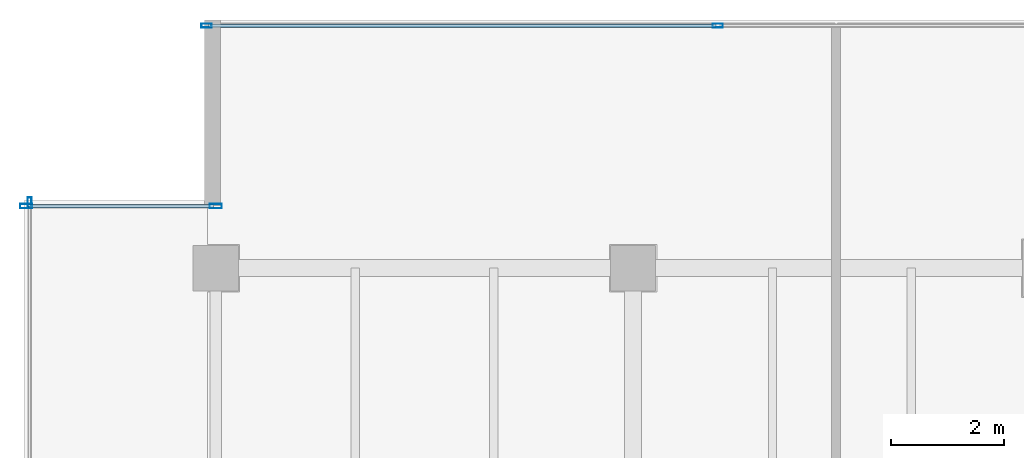
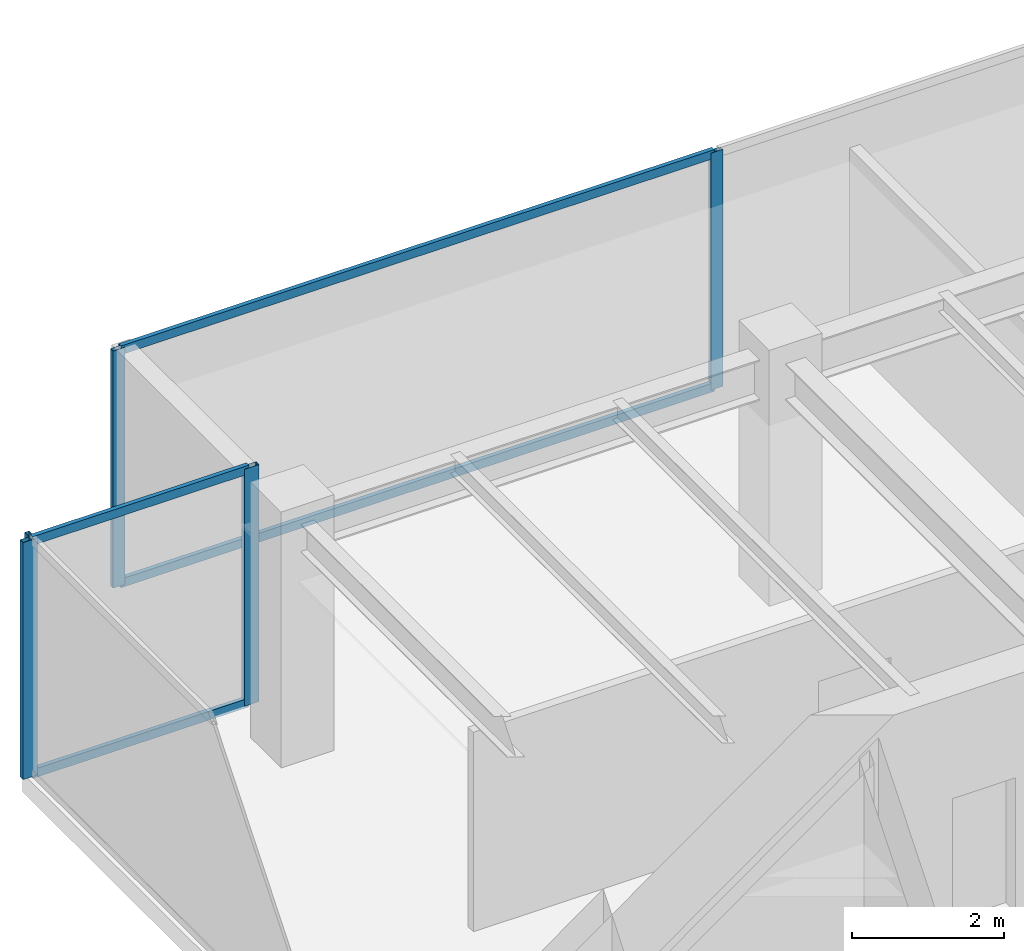
# One storey, part 15 of 35: 9 members, 3 elements without a shape of their own.
"""IFC4 building model written with IfcOpenShell, lengths in metres."""

from ifc_helpers import new_model, si_unit, direction, frame, origin, origin_2d, place, context, subcontext, project, spatial, hollow_rectangle, extrude, source, transform, mapped, material, layer, layer_set, material_profile, profile_set, type_object, type_shapes, element, aggregate, save


model = new_model("IFC4")

# Units and contexts
model_context = context("Model", 3, precision=1e-05, world=origin(), true_north=direction((0.0, 1.0)))
body_context = subcontext(model_context, "Body", "Model", "MODEL_VIEW")
ifc_project = project(units=[si_unit("LENGTHUNIT", "METRE"), si_unit("AREAUNIT", "SQUARE_METRE"), si_unit("VOLUMEUNIT", "CUBIC_METRE"), si_unit("PLANEANGLEUNIT", "RADIAN"), si_unit("MASSUNIT", "GRAM", prefix="KILO")], contexts=[model_context])

# Site, building, storey
site_placement = place(None, origin())
site = spatial("IfcSite", under=ifc_project, at=site_placement, CompositionType="ELEMENT")
building_placement = place(site_placement, origin())
building = spatial("IfcBuilding", under=site, at=building_placement, Name="Haelvirn Gate Laboratories", CompositionType="ELEMENT")
storey_placement = place(building_placement, frame((0.0, 0.0, 221.89990234375)))
storey = spatial("IfcBuildingStorey", under=building, at=storey_placement, Name="L53", CompositionType="ELEMENT", Elevation=221.89990234375)

# Curtain wall, members
ifc_material_1 = material(Name="Anodised bronze unitised aluminium & triple low-E glass", Category="aluminium")
ifc_layer_1 = layer(ifc_material_1, 0.181884765625, Name="CW-SYS-5")
ifc_layer_set_1 = layer_set([ifc_layer_1], Name="Anodised bronze unitised aluminium & triple low-E glass")
curtain_wall_type_1 = type_object("IfcCurtainWallType", Name="CW-SYS-5", PredefinedType="NOTDEFINED", material=ifc_layer_set_1)
curtain_wall_1_placement = place(storey_placement, origin())
curtain_wall_1 = element("IfcCurtainWall", 1, at=curtain_wall_1_placement, inside=storey, type_object=curtain_wall_type_1, Name="L53 Unitised Curtain Wall CW-L53-P0-E16-1", PredefinedType="NOTDEFINED")
ifc_material_2 = material(Name="Extruded aluminium 6063-T6 (anodised bronze)", Category="aluminium")
ifc_material_profile_1 = material_profile(ifc_material_2, hollow_rectangle(XDim=0.06494140625, YDim=0.139892578125, WallThickness=0.00390625, at=origin_2d()), Name="CWT-140x65x4")
ifc_profile_set_1 = profile_set([ifc_material_profile_1], Name="Extruded aluminium 6063-T6 (anodised bronze)")
member_type_1 = type_object("IfcMemberType", Name="CWT-T140", PredefinedType="USERDEFINED", material=ifc_profile_set_1)
shared_shape_1 = source(origin(), body_context, "Body", "SweptSolid", [
    extrude(hollow_rectangle(XDim=0.06494140625, YDim=0.139892578125, WallThickness=0.00390625, at=origin_2d()), origin(), (0.0, 0.0, 1.0), 3.280029296875),
])
member_1_placement = place(storey_placement, frame((4.080078125, 42.699951171875, 0.03271484375), z_axis=(1.0, 0.0, 0.0), x_axis=(0.0, 1.0, 0.0)))
member_1 = element("IfcMember", 2, at=member_1_placement, type_object=member_type_1, Name="CW5 transom 1.1", ObjectType="TRANSOM", PredefinedType="USERDEFINED", context=body_context, shape_type="MappedRepresentation", body=[
    mapped(shared_shape_1, transform((0.0, 0.0, 0.0), scale=1.0)),
])
member_2_placement = place(storey_placement, frame((4.080078125, 42.699951171875, 3.767578125), z_axis=(1.0, 0.0, 0.0), x_axis=(0.0, 1.0, 0.0)))
member_2 = element("IfcMember", 3, at=member_2_placement, type_object=member_type_1, Name="CW5 transom 1.2", ObjectType="TRANSOM", PredefinedType="USERDEFINED", context=body_context, shape_type="MappedRepresentation", body=[
    mapped(shared_shape_1, transform((0.0, 0.0, 0.0), scale=1.0)),
])

ifc_layer_2 = layer(ifc_material_1, 0.176025390625, Name="CW-SYS-4")
ifc_layer_set_2 = layer_set([ifc_layer_2], Name="Anodised bronze unitised aluminium & triple low-E glass")
curtain_wall_type_2 = type_object("IfcCurtainWallType", Name="CW-SYS-4", PredefinedType="NOTDEFINED", material=ifc_layer_set_2)
curtain_wall_2_placement = place(storey_placement, origin())
curtain_wall_2 = element("IfcCurtainWall", 4, at=curtain_wall_2_placement, inside=storey, type_object=curtain_wall_type_2, Name="L53 Unitised Curtain Wall CW-L53-P0-E14-1", PredefinedType="NOTDEFINED")
ifc_material_profile_2 = material_profile(ifc_material_2, hollow_rectangle(XDim=0.070068359375, YDim=0.179931640625, WallThickness=0.0048828125, at=origin_2d()), Name="CWM-180x70x5")
ifc_profile_set_2 = profile_set([ifc_material_profile_2], Name="Extruded aluminium 6063-T6 (anodised bronze)")
member_type_2 = type_object("IfcMemberType", Name="CWM-T180", PredefinedType="MULLION", material=ifc_profile_set_2)
shared_shape_2 = source(origin(), body_context, "Body", "SweptSolid", [
    extrude(hollow_rectangle(XDim=0.070068359375, YDim=0.179931640625, WallThickness=0.0048828125, at=origin_2d()), origin(), (0.0, 0.0, 1.0), 3.800048828125),
])
type_shapes(member_type_2, [shared_shape_2])
member_3_placement = place(storey_placement, frame((7.235107421875, 45.89990234375, 0.0), z_axis=(0.0, 0.0, 1.0), x_axis=(0.0, 1.0, 0.0)))
member_3 = element("IfcMember", 5, at=member_3_placement, type_object=member_type_2, Name="CW4 mullion 1", PredefinedType="MULLION", context=body_context, shape_type="MappedRepresentation", body=[
    mapped(shared_shape_2, transform((0.0, 0.0, 0.0), scale=1.0)),
])
member_4_placement = place(storey_placement, frame((16.300048828125, 45.89990234375, 0.0), z_axis=(0.0, 0.0, 1.0), x_axis=(0.0, 1.0, 0.0)))
member_4 = element("IfcMember", 6, at=member_4_placement, type_object=member_type_2, Name="CW4 mullion 2", PredefinedType="MULLION", context=body_context, shape_type="MappedRepresentation", body=[
    mapped(shared_shape_2, transform((0.0, 0.0, 0.0), scale=1.0)),
])

# Curtain wall, member
curtain_wall_3_placement = place(storey_placement, origin())
curtain_wall_3 = element("IfcCurtainWall", 7, at=curtain_wall_3_placement, inside=storey, type_object=curtain_wall_type_2, Name="L53 Unitised Curtain Wall CW-L53-P0-E17", PredefinedType="NOTDEFINED")
member_5_placement = place(storey_placement, frame((4.10009765625, 42.764892578125, 0.0), z_axis=(0.0, 0.0, 1.0), x_axis=(1.0, 0.0, 0.0)))
member_5 = element("IfcMember", 8, at=member_5_placement, type_object=member_type_2, Name="CW4 mullion 1", PredefinedType="MULLION", context=body_context, shape_type="MappedRepresentation", body=[
    mapped(shared_shape_2, transform((0.0, 0.0, 0.0), scale=1.0)),
])
aggregate(curtain_wall_3, [member_5])

# Member
shared_shape_3 = source(origin(), body_context, "Body", "SweptSolid", [
    extrude(hollow_rectangle(XDim=0.06494140625, YDim=0.139892578125, WallThickness=0.00390625, at=origin_2d()), origin(), (0.0, 0.0, 1.0), 8.994873046875),
])
type_shapes(member_type_1, [shared_shape_1, shared_shape_3])
member_6_placement = place(storey_placement, frame((7.27001953125, 45.89990234375, 0.03271484375), z_axis=(1.0, 0.0, 0.0), x_axis=(0.0, 1.0, 0.0)))
member_6 = element("IfcMember", 9, at=member_6_placement, type_object=member_type_1, Name="CW4 transom 1.1", ObjectType="TRANSOM", PredefinedType="USERDEFINED", context=body_context, shape_type="MappedRepresentation", body=[
    mapped(shared_shape_3, transform((0.0, 0.0, 0.0), scale=1.0)),
])

member_7_placement = place(storey_placement, frame((7.27001953125, 45.89990234375, 3.767578125), z_axis=(1.0, 0.0, 0.0), x_axis=(0.0, 1.0, 0.0)))
member_7 = element("IfcMember", 10, at=member_7_placement, type_object=member_type_1, Name="CW4 transom 1.2", ObjectType="TRANSOM", PredefinedType="USERDEFINED", context=body_context, shape_type="MappedRepresentation", body=[
    mapped(shared_shape_3, transform((0.0, 0.0, 0.0), scale=1.0)),
])

aggregate(curtain_wall_2, [member_3, member_4, member_6, member_7])

ifc_material_profile_3 = material_profile(ifc_material_2, hollow_rectangle(XDim=0.080078125, YDim=0.219970703125, WallThickness=0.006103515625, at=origin_2d()), Name="CWM-220x80x6")
ifc_profile_set_3 = profile_set([ifc_material_profile_3], Name="Extruded aluminium 6063-T6 (anodised bronze)")
member_type_3 = type_object("IfcMemberType", Name="CWM-T220", PredefinedType="MULLION", material=ifc_profile_set_3)
shared_shape_4 = source(origin(), body_context, "Body", "SweptSolid", [
    extrude(hollow_rectangle(XDim=0.080078125, YDim=0.219970703125, WallThickness=0.006103515625, at=origin_2d()), origin(), (0.0, 0.0, 1.0), 3.800048828125),
])
type_shapes(member_type_3, [shared_shape_4])
member_8_placement = place(storey_placement, frame((4.0400390625, 42.699951171875, 0.0), z_axis=(0.0, 0.0, 1.0), x_axis=(0.0, 1.0, 0.0)))
member_8 = element("IfcMember", 11, at=member_8_placement, type_object=member_type_3, Name="CW5 mullion 1", PredefinedType="MULLION", context=body_context, shape_type="MappedRepresentation", body=[
    mapped(shared_shape_4, transform((0.0, 0.0, 0.0), scale=1.0)),
])

member_9_placement = place(storey_placement, frame((7.39990234375, 42.699951171875, 0.0), z_axis=(0.0, 0.0, 1.0), x_axis=(0.0, 1.0, 0.0)))
member_9 = element("IfcMember", 12, at=member_9_placement, type_object=member_type_3, Name="CW5 mullion 2", PredefinedType="MULLION", context=body_context, shape_type="MappedRepresentation", body=[
    mapped(shared_shape_4, transform((0.0, 0.0, 0.0), scale=1.0)),
])

aggregate(curtain_wall_1, [member_8, member_9, member_1, member_2])

save(model, "model.ifc")
